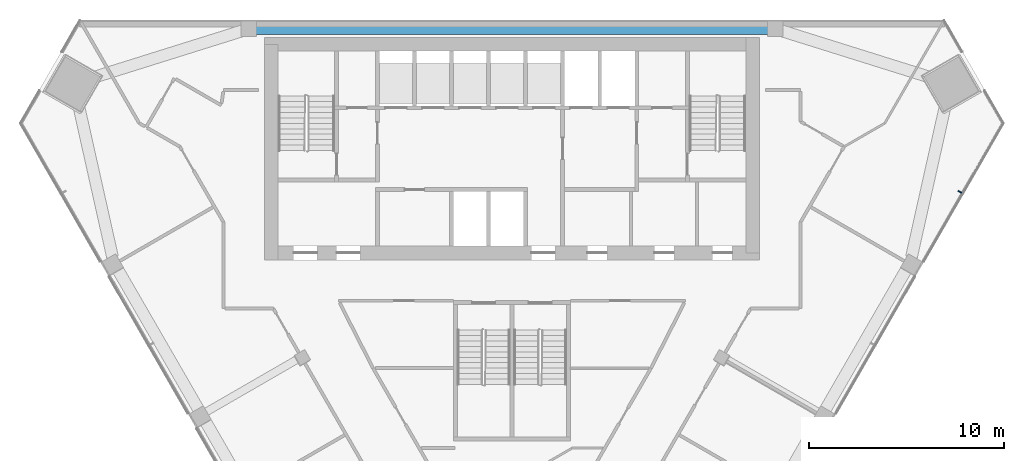
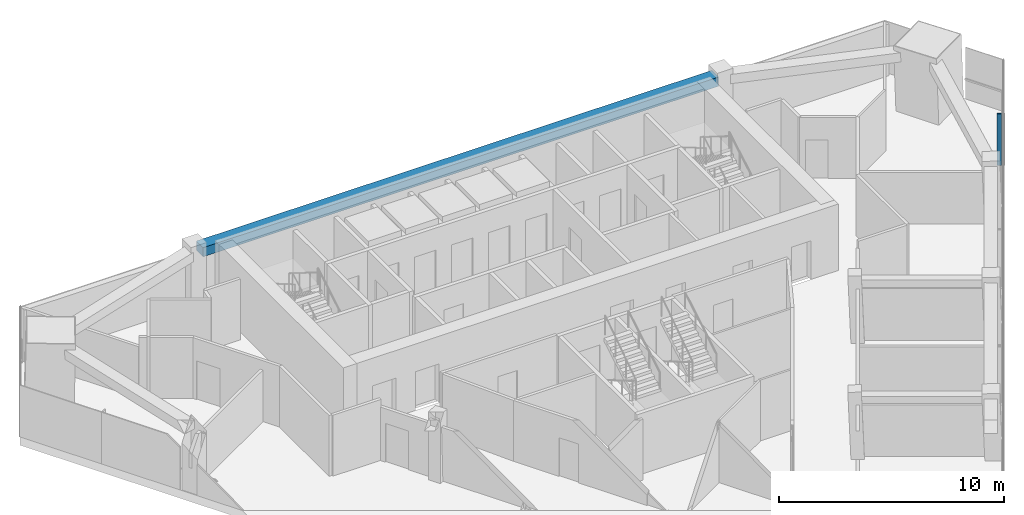
# One storey, part 6 of 13: 1 beam, 1 member, 1 element without a shape of its own.
"""IFC4 building model written with IfcOpenShell, lengths in metres."""

from ifc_helpers import new_model, si_unit, direction, frame, origin, origin_2d, place, context, subcontext, project, spatial, rectangle, extrude, material, layer, layer_set, material_profile, profile_set, type_object, element, aggregate, save


model = new_model("IFC4")

# Units and contexts
model_context = context("Model", 3, precision=1e-05, world=origin(), true_north=direction((0.0, 1.0)))
body_context = subcontext(model_context, "Body", "Model", "MODEL_VIEW")
ifc_project = project(units=[si_unit("LENGTHUNIT", "METRE"), si_unit("AREAUNIT", "SQUARE_METRE"), si_unit("VOLUMEUNIT", "CUBIC_METRE"), si_unit("PLANEANGLEUNIT", "RADIAN"), si_unit("MASSUNIT", "GRAM", prefix="KILO")], contexts=[model_context])

# Site, building, storey
site_placement = place(None, origin())
site = spatial("IfcSite", under=ifc_project, at=site_placement, CompositionType="ELEMENT")
building_placement = place(site_placement, origin())
building = spatial("IfcBuilding", under=site, at=building_placement, Name="Altiplano Prism Tower", CompositionType="ELEMENT")
storey_placement = place(building_placement, frame((0.0, 0.0, 208.800048828125)))
storey = spatial("IfcBuildingStorey", under=building, at=storey_placement, Name="L54", CompositionType="ELEMENT", Elevation=208.800048828125)

# Curtain wall, member
ifc_material_1 = material(Name="Aluminium and glass", Category="aluminium")
ifc_layer = layer(ifc_material_1, 0.303955078125)
ifc_layer_set = layer_set([ifc_layer], Name="Aluminium and glass")
curtain_wall_type = type_object("IfcCurtainWallType", Name="CW2 lounge-band unitised glazing", PredefinedType="NOTDEFINED", material=ifc_layer_set)
curtain_wall_placement = place(storey_placement, origin())
curtain_wall = element("IfcCurtainWall", 1, at=curtain_wall_placement, inside=storey, type_object=curtain_wall_type, Name="CW2 curtain wall south-east face L54", PredefinedType="NOTDEFINED")
ifc_material_2 = material(Name="Aluminium", Category="aluminium")
ifc_material_profile_1 = material_profile(ifc_material_2, rectangle(XDim=0.199951171875, YDim=0.06005859375, at=origin_2d()), Name="CW2 mullion 60 x 200")
ifc_profile_set_1 = profile_set([ifc_material_profile_1], Name="Aluminium")
member_type = type_object("IfcMemberType", Name="CW2 mullion 60 x 200", PredefinedType="MULLION", material=ifc_profile_set_1)
member_placement = place(storey_placement, frame((107.970458984375, 96.18701171875, 0.0), z_axis=(0.0, 0.0, 1.0), x_axis=(-0.866025415618, 0.499999979504, 0.0)))
member = element("IfcMember", 2, at=member_placement, type_object=member_type, Name="CW2 mullion", PredefinedType="MULLION", context=body_context, shape_type="SweptSolid", body=[
    extrude(rectangle(XDim=0.199951171875, YDim=0.06005859375, at=origin_2d()), origin(), (0.0, 0.0, 1.0), 2.800048828125),
])
aggregate(curtain_wall, [member])

# Beam
ifc_material_3 = material(Name="Concrete C60/75", Category="concrete")
ifc_material_profile_2 = material_profile(ifc_material_3, rectangle(XDim=0.60009765625, YDim=0.5, at=origin_2d()), Name="Edge beam 600x500")
ifc_profile_set_2 = profile_set([ifc_material_profile_2], Name="Concrete C60/75")
beam_type = type_object("IfcBeamType", Name="Edge beam 600x500", PredefinedType="SPANDREL", material=ifc_profile_set_2)
beam_placement = place(storey_placement, frame((98.219970703125, 104.550048828125, 3.050048828125), z_axis=(-1.0, 0.0, 0.0), x_axis=(0.0, -1.0, 0.0)))
element("IfcBeam", 3, at=beam_placement, inside=storey, type_object=beam_type, Name="Edge beam P01-P04 L55", PredefinedType="SPANDREL", context=body_context, shape_type="SweptSolid", body=[
    extrude(rectangle(XDim=0.60009765625, YDim=0.5, at=origin_2d()), origin(), (0.0, 0.0, 1.0), 26.43994140625),
])

save(model, "model.ifc")
